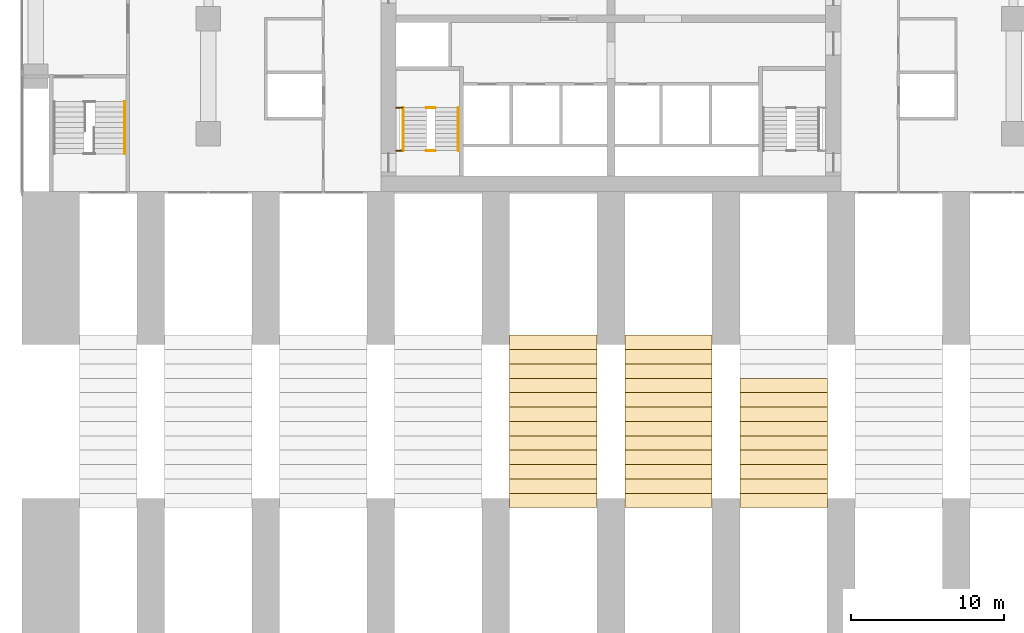
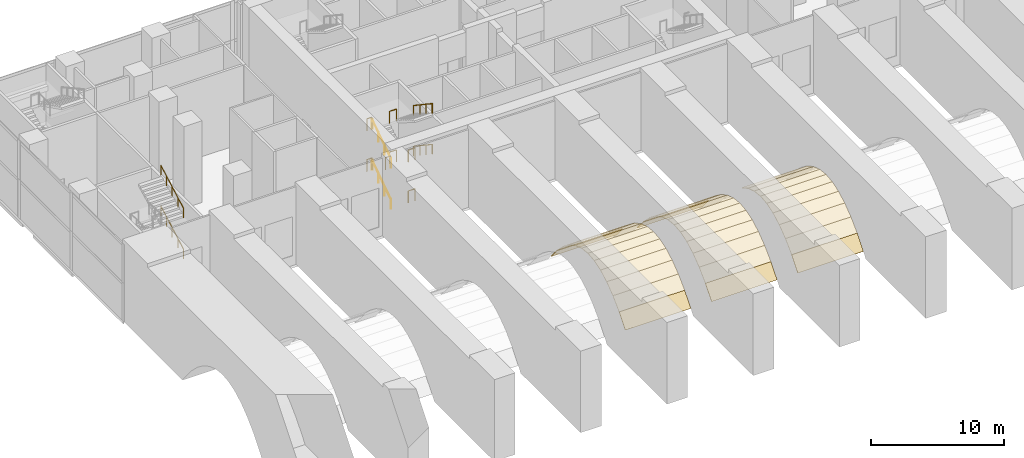
# One storey, part 12 of 15: 33 coverings, 13 railings.
"""IFC4 building model written with IfcOpenShell, lengths in metres."""

from ifc_helpers import new_model, si_unit, direction, frame, origin, origin_2d, place, context, subcontext, project, spatial, polyline, circle, outline, extrude, material, layer, layer_set, type_object, element, save


model = new_model("IFC4")

# Units and contexts
model_context = context("Model", 3, precision=1e-05, world=origin(), true_north=direction((0.0, 1.0)))
body_context = subcontext(model_context, "Body", "Model", "MODEL_VIEW")
ifc_project = project(units=[si_unit("LENGTHUNIT", "METRE"), si_unit("AREAUNIT", "SQUARE_METRE"), si_unit("VOLUMEUNIT", "CUBIC_METRE"), si_unit("PLANEANGLEUNIT", "RADIAN"), si_unit("MASSUNIT", "GRAM", prefix="KILO")], contexts=[model_context])

# Site, building, storey
site_placement = place(None, origin())
site = spatial("IfcSite", under=ifc_project, at=site_placement, CompositionType="ELEMENT")
building_placement = place(site_placement, origin())
building = spatial("IfcBuilding", under=site, at=building_placement, Name="Pilkhan Gate Tower", CompositionType="ELEMENT")
storey_placement = place(building_placement, frame((0.0, 0.0, 16.5)))
storey = spatial("IfcBuildingStorey", under=building, at=storey_placement, Name="L02", CompositionType="ELEMENT", Elevation=16.5)

# Coverings
ifc_material_1 = material(Name="Concrete C40/50 precast", Category="concrete")
ifc_layer = layer(ifc_material_1, 0.06005859375)
ifc_layer_set = layer_set([ifc_layer], Name="Arch soffit panel ARC")
covering_type = type_object("IfcCoveringType", Name="Arch soffit panel ARC", PredefinedType="CLADDING", material=ifc_layer_set)
covering_1_placement = place(storey_placement, frame((68.39990234375, 50.625, 0.487548828125), z_axis=(0.0, -0.766573876706, 0.642156127084), x_axis=(1.0, 0.0, 0.0)))
element("IfcCovering", 1, at=covering_1_placement, inside=storey, type_object=covering_type, Name="Arch soffit panel ARC-5.7", PredefinedType="CLADDING", context=body_context, shape_type="SweptSolid", body=[
    extrude(outline(polyline([(0.0, 0.0), (5.7001953125, 0.0), (5.7001953125, 1.4599253366269764), (0.0, 1.4599253366269764), (0.0, 0.0)])), origin(), (0.0, 0.0, -1.0), 0.06005859375),
])
covering_2_placement = place(storey_placement, frame((68.39990234375, 51.5625, 1.606689453125), z_axis=(0.0, -0.698672998985, 0.715441150961), x_axis=(1.0, 0.0, 0.0)))
element("IfcCovering", 2, at=covering_2_placement, inside=storey, type_object=covering_type, Name="Arch soffit panel ARC-5.8", PredefinedType="CLADDING", context=body_context, shape_type="SweptSolid", body=[
    extrude(outline(polyline([(0.0, 0.0), (5.7001953125, 0.0), (5.7001953125, 1.3103803139371146), (0.0, 1.3103803139371146), (0.0, 0.0)])), origin(), (0.0, 0.0, -1.0), 0.06005859375),
])
covering_3_placement = place(storey_placement, frame((68.39990234375, 52.5, 2.522216796875), z_axis=(0.0, -0.604899225984, 0.796302032149), x_axis=(1.0, 0.0, 0.0)))
element("IfcCovering", 3, at=covering_3_placement, inside=storey, type_object=covering_type, Name="Arch soffit panel ARC-5.9", PredefinedType="CLADDING", context=body_context, shape_type="SweptSolid", body=[
    extrude(outline(polyline([(0.0, 0.0), (5.7001953125, 0.0), (5.7001953125, 1.1773171009877623), (0.0, 1.1773171009877623), (0.0, 0.0)])), origin(), (0.0, 0.0, -1.0), 0.06005859375),
])
covering_4_placement = place(storey_placement, frame((68.39990234375, 53.4375, 3.234375), z_axis=(0.0, -0.476990839795, 0.878908265265), x_axis=(1.0, 0.0, 0.0)))
element("IfcCovering", 4, at=covering_4_placement, inside=storey, type_object=covering_type, Name="Arch soffit panel ARC-5.10", PredefinedType="CLADDING", context=body_context, shape_type="SweptSolid", body=[
    extrude(outline(polyline([(0.0, 0.0), (5.7001953125, 0.0), (5.7001953125, 1.0666642208866055), (0.0, 1.0666642208866055), (0.0, 0.0)])), origin(), (0.0, 0.0, -1.0), 0.06005859375),
])
covering_5_placement = place(storey_placement, frame((68.39990234375, 54.375, 3.7431640625), z_axis=(0.0, -0.309533978689, 0.950888382533), x_axis=(1.0, 0.0, 0.0)))
element("IfcCovering", 5, at=covering_5_placement, inside=storey, type_object=covering_type, Name="Arch soffit panel ARC-5.11", PredefinedType="CLADDING", context=body_context, shape_type="SweptSolid", body=[
    extrude(outline(polyline([(0.0, 0.0), (5.7001953125, 0.0), (5.7001953125, 0.9859201323948852), (0.0, 0.9859201323948852), (0.0, 0.0)])), origin(), (0.0, 0.0, -1.0), 0.06005859375),
])
for number, where, z_axis, x_axis, name in (
    (6, (68.39990234375, 55.3125, 4.04833984375), (0.0, -0.107703168683, 0.994183095539), (1.0, 0.0, 0.0), "Arch soffit panel ARC-5.12"),
    (7, (68.39990234375, 56.25, 4.14990234375), (0.0, 0.107703168683, 0.994183095539), (1.0, 0.0, 0.0), "Arch soffit panel ARC-5.13"),
):
    element("IfcCovering", number, at=place(storey_placement, frame(where, z_axis=z_axis, x_axis=x_axis)), inside=storey, type_object=covering_type, Name=name, PredefinedType="CLADDING", context=body_context, shape_type="SweptSolid", body=[
        extrude(outline(polyline([(0.0, 0.0), (5.7001953125, 0.0), (5.7001953125, 0.9429852551372424), (0.0, 0.9429852551372424), (0.0, 0.0)])), origin(), (0.0, 0.0, -1.0), 0.06005859375),
    ])
covering_6_placement = place(storey_placement, frame((68.39990234375, 57.1875, 4.04833984375), z_axis=(0.0, 0.309533978689, 0.950888382533), x_axis=(1.0, 0.0, 0.0)))
element("IfcCovering", 8, at=covering_6_placement, inside=storey, type_object=covering_type, Name="Arch soffit panel ARC-5.14", PredefinedType="CLADDING", context=body_context, shape_type="SweptSolid", body=[
    extrude(outline(polyline([(0.0, 0.0), (5.7001953125, 0.0), (5.7001953125, 0.9859201323948852), (0.0, 0.9859201323948852), (0.0, 0.0)])), origin(), (0.0, 0.0, -1.0), 0.06005859375),
])
covering_7_placement = place(storey_placement, frame((68.39990234375, 58.125, 3.7431640625), z_axis=(0.0, 0.476990839795, 0.878908265265), x_axis=(1.0, 0.0, 0.0)))
element("IfcCovering", 9, at=covering_7_placement, inside=storey, type_object=covering_type, Name="Arch soffit panel ARC-5.15", PredefinedType="CLADDING", context=body_context, shape_type="SweptSolid", body=[
    extrude(outline(polyline([(0.0, 0.0), (5.7001953125, 0.0), (5.7001953125, 1.0666642208866055), (0.0, 1.0666642208866055), (0.0, 0.0)])), origin(), (0.0, 0.0, -1.0), 0.06005859375),
])
covering_8_placement = place(storey_placement, frame((68.39990234375, 59.0625, 3.234375), z_axis=(0.0, 0.604899225984, 0.796302032149), x_axis=(1.0, 0.0, 0.0)))
element("IfcCovering", 10, at=covering_8_placement, inside=storey, type_object=covering_type, Name="Arch soffit panel ARC-5.16", PredefinedType="CLADDING", context=body_context, shape_type="SweptSolid", body=[
    extrude(outline(polyline([(0.0, 0.0), (5.7001953125, 0.0), (5.7001953125, 1.1773171009877623), (0.0, 1.1773171009877623), (0.0, 0.0)])), origin(), (0.0, 0.0, -1.0), 0.06005859375),
])
covering_9_placement = place(storey_placement, frame((68.39990234375, 60.0, 2.522216796875), z_axis=(0.0, 0.698672998985, 0.715441150961), x_axis=(1.0, 0.0, 0.0)))
element("IfcCovering", 11, at=covering_9_placement, inside=storey, type_object=covering_type, Name="Arch soffit panel ARC-5.17", PredefinedType="CLADDING", context=body_context, shape_type="SweptSolid", body=[
    extrude(outline(polyline([(0.0, 0.0), (5.7001953125, 0.0), (5.7001953125, 1.3103803139371146), (0.0, 1.3103803139371146), (0.0, 0.0)])), origin(), (0.0, 0.0, -1.0), 0.06005859375),
])
for number, where, z_axis, x_axis, name in (
    (12, (68.39990234375, 60.9375, 1.606689453125), (0.0, 0.766573876706, 0.642156127084), (1.0, 0.0, 0.0), "Arch soffit panel ARC-5.18"),
    (13, (75.89990234375, 50.625, 0.487548828125), (0.0, -0.766573876706, 0.642156127084), (1.0, 0.0, 0.0), "Arch soffit panel ARC-6.7"),
):
    element("IfcCovering", number, at=place(storey_placement, frame(where, z_axis=z_axis, x_axis=x_axis)), inside=storey, type_object=covering_type, Name=name, PredefinedType="CLADDING", context=body_context, shape_type="SweptSolid", body=[
        extrude(outline(polyline([(0.0, 0.0), (5.7001953125, 0.0), (5.7001953125, 1.4599253366269764), (0.0, 1.4599253366269764), (0.0, 0.0)])), origin(), (0.0, 0.0, -1.0), 0.06005859375),
    ])
covering_10_placement = place(storey_placement, frame((75.89990234375, 51.5625, 1.606689453125), z_axis=(0.0, -0.698672998985, 0.715441150961), x_axis=(1.0, 0.0, 0.0)))
element("IfcCovering", 14, at=covering_10_placement, inside=storey, type_object=covering_type, Name="Arch soffit panel ARC-6.8", PredefinedType="CLADDING", context=body_context, shape_type="SweptSolid", body=[
    extrude(outline(polyline([(0.0, 0.0), (5.7001953125, 0.0), (5.7001953125, 1.3103803139371146), (0.0, 1.3103803139371146), (0.0, 0.0)])), origin(), (0.0, 0.0, -1.0), 0.06005859375),
])
covering_11_placement = place(storey_placement, frame((75.89990234375, 52.5, 2.522216796875), z_axis=(0.0, -0.604899225984, 0.796302032149), x_axis=(1.0, 0.0, 0.0)))
element("IfcCovering", 15, at=covering_11_placement, inside=storey, type_object=covering_type, Name="Arch soffit panel ARC-6.9", PredefinedType="CLADDING", context=body_context, shape_type="SweptSolid", body=[
    extrude(outline(polyline([(0.0, 0.0), (5.7001953125, 0.0), (5.7001953125, 1.1773171009877623), (0.0, 1.1773171009877623), (0.0, 0.0)])), origin(), (0.0, 0.0, -1.0), 0.06005859375),
])
covering_12_placement = place(storey_placement, frame((75.89990234375, 53.4375, 3.234375), z_axis=(0.0, -0.476990839795, 0.878908265265), x_axis=(1.0, 0.0, 0.0)))
element("IfcCovering", 16, at=covering_12_placement, inside=storey, type_object=covering_type, Name="Arch soffit panel ARC-6.10", PredefinedType="CLADDING", context=body_context, shape_type="SweptSolid", body=[
    extrude(outline(polyline([(0.0, 0.0), (5.7001953125, 0.0), (5.7001953125, 1.0666642208866055), (0.0, 1.0666642208866055), (0.0, 0.0)])), origin(), (0.0, 0.0, -1.0), 0.06005859375),
])
covering_13_placement = place(storey_placement, frame((75.89990234375, 54.375, 3.7431640625), z_axis=(0.0, -0.309533978689, 0.950888382533), x_axis=(1.0, 0.0, 0.0)))
element("IfcCovering", 17, at=covering_13_placement, inside=storey, type_object=covering_type, Name="Arch soffit panel ARC-6.11", PredefinedType="CLADDING", context=body_context, shape_type="SweptSolid", body=[
    extrude(outline(polyline([(0.0, 0.0), (5.7001953125, 0.0), (5.7001953125, 0.9859201323948852), (0.0, 0.9859201323948852), (0.0, 0.0)])), origin(), (0.0, 0.0, -1.0), 0.06005859375),
])
for number, where, z_axis, x_axis, name in (
    (18, (75.89990234375, 55.3125, 4.04833984375), (0.0, -0.107703168683, 0.994183095539), (1.0, 0.0, 0.0), "Arch soffit panel ARC-6.12"),
    (19, (75.89990234375, 56.25, 4.14990234375), (0.0, 0.107703168683, 0.994183095539), (1.0, 0.0, 0.0), "Arch soffit panel ARC-6.13"),
):
    element("IfcCovering", number, at=place(storey_placement, frame(where, z_axis=z_axis, x_axis=x_axis)), inside=storey, type_object=covering_type, Name=name, PredefinedType="CLADDING", context=body_context, shape_type="SweptSolid", body=[
        extrude(outline(polyline([(0.0, 0.0), (5.7001953125, 0.0), (5.7001953125, 0.9429852551372424), (0.0, 0.9429852551372424), (0.0, 0.0)])), origin(), (0.0, 0.0, -1.0), 0.06005859375),
    ])
covering_14_placement = place(storey_placement, frame((75.89990234375, 57.1875, 4.04833984375), z_axis=(0.0, 0.309533978689, 0.950888382533), x_axis=(1.0, 0.0, 0.0)))
element("IfcCovering", 20, at=covering_14_placement, inside=storey, type_object=covering_type, Name="Arch soffit panel ARC-6.14", PredefinedType="CLADDING", context=body_context, shape_type="SweptSolid", body=[
    extrude(outline(polyline([(0.0, 0.0), (5.7001953125, 0.0), (5.7001953125, 0.9859201323948852), (0.0, 0.9859201323948852), (0.0, 0.0)])), origin(), (0.0, 0.0, -1.0), 0.06005859375),
])
covering_15_placement = place(storey_placement, frame((75.89990234375, 58.125, 3.7431640625), z_axis=(0.0, 0.476990839795, 0.878908265265), x_axis=(1.0, 0.0, 0.0)))
element("IfcCovering", 21, at=covering_15_placement, inside=storey, type_object=covering_type, Name="Arch soffit panel ARC-6.15", PredefinedType="CLADDING", context=body_context, shape_type="SweptSolid", body=[
    extrude(outline(polyline([(0.0, 0.0), (5.7001953125, 0.0), (5.7001953125, 1.0666642208866055), (0.0, 1.0666642208866055), (0.0, 0.0)])), origin(), (0.0, 0.0, -1.0), 0.06005859375),
])
covering_16_placement = place(storey_placement, frame((75.89990234375, 59.0625, 3.234375), z_axis=(0.0, 0.604899225984, 0.796302032149), x_axis=(1.0, 0.0, 0.0)))
element("IfcCovering", 22, at=covering_16_placement, inside=storey, type_object=covering_type, Name="Arch soffit panel ARC-6.16", PredefinedType="CLADDING", context=body_context, shape_type="SweptSolid", body=[
    extrude(outline(polyline([(0.0, 0.0), (5.7001953125, 0.0), (5.7001953125, 1.1773171009877623), (0.0, 1.1773171009877623), (0.0, 0.0)])), origin(), (0.0, 0.0, -1.0), 0.06005859375),
])
covering_17_placement = place(storey_placement, frame((75.89990234375, 60.0, 2.522216796875), z_axis=(0.0, 0.698672998985, 0.715441150961), x_axis=(1.0, 0.0, 0.0)))
element("IfcCovering", 23, at=covering_17_placement, inside=storey, type_object=covering_type, Name="Arch soffit panel ARC-6.17", PredefinedType="CLADDING", context=body_context, shape_type="SweptSolid", body=[
    extrude(outline(polyline([(0.0, 0.0), (5.7001953125, 0.0), (5.7001953125, 1.3103803139371146), (0.0, 1.3103803139371146), (0.0, 0.0)])), origin(), (0.0, 0.0, -1.0), 0.06005859375),
])
for number, where, z_axis, x_axis, name in (
    (24, (75.89990234375, 60.9375, 1.606689453125), (0.0, 0.766573876706, 0.642156127084), (1.0, 0.0, 0.0), "Arch soffit panel ARC-6.18"),
    (25, (83.39990234375, 50.625, 0.487548828125), (0.0, -0.766573876706, 0.642156127084), (1.0, 0.0, 0.0), "Arch soffit panel ARC-7.7"),
):
    element("IfcCovering", number, at=place(storey_placement, frame(where, z_axis=z_axis, x_axis=x_axis)), inside=storey, type_object=covering_type, Name=name, PredefinedType="CLADDING", context=body_context, shape_type="SweptSolid", body=[
        extrude(outline(polyline([(0.0, 0.0), (5.7001953125, 0.0), (5.7001953125, 1.4599253366269764), (0.0, 1.4599253366269764), (0.0, 0.0)])), origin(), (0.0, 0.0, -1.0), 0.06005859375),
    ])
covering_18_placement = place(storey_placement, frame((83.39990234375, 51.5625, 1.606689453125), z_axis=(0.0, -0.698672998985, 0.715441150961), x_axis=(1.0, 0.0, 0.0)))
element("IfcCovering", 26, at=covering_18_placement, inside=storey, type_object=covering_type, Name="Arch soffit panel ARC-7.8", PredefinedType="CLADDING", context=body_context, shape_type="SweptSolid", body=[
    extrude(outline(polyline([(0.0, 0.0), (5.7001953125, 0.0), (5.7001953125, 1.3103803139371146), (0.0, 1.3103803139371146), (0.0, 0.0)])), origin(), (0.0, 0.0, -1.0), 0.06005859375),
])
covering_19_placement = place(storey_placement, frame((83.39990234375, 52.5, 2.522216796875), z_axis=(0.0, -0.604899225984, 0.796302032149), x_axis=(1.0, 0.0, 0.0)))
element("IfcCovering", 27, at=covering_19_placement, inside=storey, type_object=covering_type, Name="Arch soffit panel ARC-7.9", PredefinedType="CLADDING", context=body_context, shape_type="SweptSolid", body=[
    extrude(outline(polyline([(0.0, 0.0), (5.7001953125, 0.0), (5.7001953125, 1.1773171009877623), (0.0, 1.1773171009877623), (0.0, 0.0)])), origin(), (0.0, 0.0, -1.0), 0.06005859375),
])
covering_20_placement = place(storey_placement, frame((83.39990234375, 53.4375, 3.234375), z_axis=(0.0, -0.476990839795, 0.878908265265), x_axis=(1.0, 0.0, 0.0)))
element("IfcCovering", 28, at=covering_20_placement, inside=storey, type_object=covering_type, Name="Arch soffit panel ARC-7.10", PredefinedType="CLADDING", context=body_context, shape_type="SweptSolid", body=[
    extrude(outline(polyline([(0.0, 0.0), (5.7001953125, 0.0), (5.7001953125, 1.0666642208866055), (0.0, 1.0666642208866055), (0.0, 0.0)])), origin(), (0.0, 0.0, -1.0), 0.06005859375),
])
covering_21_placement = place(storey_placement, frame((83.39990234375, 54.375, 3.7431640625), z_axis=(0.0, -0.309533978689, 0.950888382533), x_axis=(1.0, 0.0, 0.0)))
element("IfcCovering", 29, at=covering_21_placement, inside=storey, type_object=covering_type, Name="Arch soffit panel ARC-7.11", PredefinedType="CLADDING", context=body_context, shape_type="SweptSolid", body=[
    extrude(outline(polyline([(0.0, 0.0), (5.7001953125, 0.0), (5.7001953125, 0.9859201323948852), (0.0, 0.9859201323948852), (0.0, 0.0)])), origin(), (0.0, 0.0, -1.0), 0.06005859375),
])
for number, where, z_axis, x_axis, name in (
    (30, (83.39990234375, 55.3125, 4.04833984375), (0.0, -0.107703168683, 0.994183095539), (1.0, 0.0, 0.0), "Arch soffit panel ARC-7.12"),
    (31, (83.39990234375, 56.25, 4.14990234375), (0.0, 0.107703168683, 0.994183095539), (1.0, 0.0, 0.0), "Arch soffit panel ARC-7.13"),
):
    element("IfcCovering", number, at=place(storey_placement, frame(where, z_axis=z_axis, x_axis=x_axis)), inside=storey, type_object=covering_type, Name=name, PredefinedType="CLADDING", context=body_context, shape_type="SweptSolid", body=[
        extrude(outline(polyline([(0.0, 0.0), (5.7001953125, 0.0), (5.7001953125, 0.9429852551372424), (0.0, 0.9429852551372424), (0.0, 0.0)])), origin(), (0.0, 0.0, -1.0), 0.06005859375),
    ])
covering_22_placement = place(storey_placement, frame((83.39990234375, 57.1875, 4.04833984375), z_axis=(0.0, 0.309533978689, 0.950888382533), x_axis=(1.0, 0.0, 0.0)))
element("IfcCovering", 32, at=covering_22_placement, inside=storey, type_object=covering_type, Name="Arch soffit panel ARC-7.14", PredefinedType="CLADDING", context=body_context, shape_type="SweptSolid", body=[
    extrude(outline(polyline([(0.0, 0.0), (5.7001953125, 0.0), (5.7001953125, 0.9859201323948852), (0.0, 0.9859201323948852), (0.0, 0.0)])), origin(), (0.0, 0.0, -1.0), 0.06005859375),
])
covering_23_placement = place(storey_placement, frame((83.39990234375, 58.125, 3.7431640625), z_axis=(0.0, 0.476990839795, 0.878908265265), x_axis=(1.0, 0.0, 0.0)))
element("IfcCovering", 33, at=covering_23_placement, inside=storey, type_object=covering_type, Name="Arch soffit panel ARC-7.15", PredefinedType="CLADDING", context=body_context, shape_type="SweptSolid", body=[
    extrude(outline(polyline([(0.0, 0.0), (5.7001953125, 0.0), (5.7001953125, 1.0666642208866055), (0.0, 1.0666642208866055), (0.0, 0.0)])), origin(), (0.0, 0.0, -1.0), 0.06005859375),
])

# Railings
ifc_material_2 = material(Name="Black powder-coated steel tube", Category="steel")
railing_type_1 = type_object("IfcRailingType", Name="Stair handrail HR1", PredefinedType="HANDRAIL", material=ifc_material_2)
railing_1_placement = place(storey_placement, frame((61.449951171875, 73.89990234375, 0.0)))
element("IfcRailing", 34, at=railing_1_placement, inside=storey, type_object=railing_type_1, Name="Stair ST2 handrail L02", PredefinedType="HANDRAIL", context=body_context, shape_type="SweptSolid", body=[
    extrude(circle(Radius=0.02392578125, at=origin_2d()), frame((0.0, 0.0, 0.8759765625), z_axis=(0.0, 0.830911662861, 0.55640435703), x_axis=(-1.0, 0.0, 0.0)), (0.0, 0.0, 1.0), 3.369873046875),
    extrude(circle(Radius=0.02099609375, at=origin_2d()), origin(), (0.0, 0.0, 1.0), 0.851806640625),
    extrude(circle(Radius=0.02099609375, at=origin_2d()), frame((0.0, 0.933349609375, 0.625)), (0.0, 0.0, 1.0), 0.851806640625),
    extrude(circle(Radius=0.02099609375, at=origin_2d()), frame((0.0, 1.86669921875, 1.25)), (0.0, 0.0, 1.0), 0.851806640625),
    extrude(circle(Radius=0.02099609375, at=origin_2d()), frame((0.0, 2.800048828125, 1.875)), (0.0, 0.0, 1.0), 0.851806640625),
])
railing_2_placement = place(storey_placement, frame((65.050048828125, 76.699951171875, 1.875)))
element("IfcRailing", 35, at=railing_2_placement, inside=storey, type_object=railing_type_1, Name="Stair ST2 handrail L02", PredefinedType="HANDRAIL", context=body_context, shape_type="SweptSolid", body=[
    extrude(circle(Radius=0.02392578125, at=origin_2d()), frame((0.0, 0.0, 0.8759765625), z_axis=(0.0, -0.830911662861, 0.55640435703), x_axis=(1.0, 0.0, 0.0)), (0.0, 0.0, 1.0), 3.369873046875),
    extrude(circle(Radius=0.02099609375, at=origin_2d()), origin(), (0.0, 0.0, 1.0), 0.851806640625),
    extrude(circle(Radius=0.02099609375, at=origin_2d()), frame((0.0, -0.933349609375, 0.625)), (0.0, 0.0, 1.0), 0.851806640625),
    extrude(circle(Radius=0.02099609375, at=origin_2d()), frame((0.0, -1.86669921875, 1.25)), (0.0, 0.0, 1.0), 0.851806640625),
    extrude(circle(Radius=0.02099609375, at=origin_2d()), frame((0.0, -2.800048828125, 1.875)), (0.0, 0.0, 1.0), 0.851806640625),
])
railing_3_placement = place(storey_placement, frame((61.449951171875, 73.89990234375, 3.75)))
element("IfcRailing", 36, at=railing_3_placement, inside=storey, type_object=railing_type_1, Name="Stair ST2 handrail L02", PredefinedType="HANDRAIL", context=body_context, shape_type="SweptSolid", body=[
    extrude(circle(Radius=0.02392578125, at=origin_2d()), frame((0.0, 0.0, 0.8759765625), z_axis=(0.0, 0.830911662861, 0.55640435703), x_axis=(-1.0, 0.0, 0.0)), (0.0, 0.0, 1.0), 3.369873046875),
    extrude(circle(Radius=0.02099609375, at=origin_2d()), origin(), (0.0, 0.0, 1.0), 0.851806640625),
    extrude(circle(Radius=0.02099609375, at=origin_2d()), frame((0.0, 0.933349609375, 0.625)), (0.0, 0.0, 1.0), 0.851806640625),
    extrude(circle(Radius=0.02099609375, at=origin_2d()), frame((0.0, 1.86669921875, 1.25)), (0.0, 0.0, 1.0), 0.851806640625),
    extrude(circle(Radius=0.02099609375, at=origin_2d()), frame((0.0, 2.800048828125, 1.875)), (0.0, 0.0, 1.0), 0.851806640625),
])
railing_4_placement = place(storey_placement, frame((65.050048828125, 76.699951171875, 5.625)))
element("IfcRailing", 37, at=railing_4_placement, inside=storey, type_object=railing_type_1, Name="Stair ST2 handrail L02", PredefinedType="HANDRAIL", context=body_context, shape_type="SweptSolid", body=[
    extrude(circle(Radius=0.02392578125, at=origin_2d()), frame((0.0, 0.0, 0.8759765625), z_axis=(0.0, -0.830911662861, 0.55640435703), x_axis=(1.0, 0.0, 0.0)), (0.0, 0.0, 1.0), 3.369873046875),
    extrude(circle(Radius=0.02099609375, at=origin_2d()), origin(), (0.0, 0.0, 1.0), 0.851806640625),
    extrude(circle(Radius=0.02099609375, at=origin_2d()), frame((0.0, -0.933349609375, 0.625)), (0.0, 0.0, 1.0), 0.851806640625),
    extrude(circle(Radius=0.02099609375, at=origin_2d()), frame((0.0, -1.86669921875, 1.25)), (0.0, 0.0, 1.0), 0.851806640625),
    extrude(circle(Radius=0.02099609375, at=origin_2d()), frame((0.0, -2.800048828125, 1.875)), (0.0, 0.0, 1.0), 0.851806640625),
])
for number, where, name in (
    (38, (43.300048828125, 73.699951171875, 1.875), "Stair PS3 handrail L02"),
    (39, (43.300048828125, 73.699951171875, 5.625), "Stair PS3 handrail L02"),
):
    element("IfcRailing", number, at=place(storey_placement, frame(where)), inside=storey, type_object=railing_type_1, Name=name, PredefinedType="HANDRAIL", context=body_context, shape_type="SweptSolid", body=[
        extrude(circle(Radius=0.02392578125, at=origin_2d()), frame((0.0, 0.0, 0.8759765625), z_axis=(0.0, 0.875680375818, 0.482891167249), x_axis=(-1.0, 0.0, 0.0)), (0.0, 0.0, 1.0), 3.8828125),
        extrude(circle(Radius=0.02099609375, at=origin_2d()), origin(), (0.0, 0.0, 1.0), 0.851806640625),
        extrude(circle(Radius=0.02099609375, at=origin_2d()), frame((0.0, 0.85009765625, 0.46875)), (0.0, 0.0, 1.0), 0.851806640625),
        extrude(circle(Radius=0.02099609375, at=origin_2d()), frame((0.0, 1.7001953125, 0.9375)), (0.0, 0.0, 1.0), 0.851806640625),
        extrude(circle(Radius=0.02099609375, at=origin_2d()), frame((0.0, 2.550048828125, 1.40625)), (0.0, 0.0, 1.0), 0.851806640625),
        extrude(circle(Radius=0.02099609375, at=origin_2d()), frame((0.0, 3.400146484375, 1.875)), (0.0, 0.0, 1.0), 0.851806640625),
    ])
ifc_material_3 = material(Name="Black powder-coated steel balusters", Category="steel")
railing_type_2 = type_object("IfcRailingType", Name="Stair well guard G3", PredefinedType="GUARDRAIL", material=ifc_material_3)
for number, where, name in (
    (40, (60.97998046875, 76.699951171875, 1.875), "Stair ST2 well guard L02"),
    (41, (60.97998046875, 73.89990234375, 3.75), "Stair ST2 well guard L02"),
    (42, (60.97998046875, 76.699951171875, 5.625), "Stair ST2 well guard L02"),
):
    element("IfcRailing", number, at=place(storey_placement, frame(where)), inside=storey, type_object=railing_type_2, Name=name, PredefinedType="GUARDRAIL", context=body_context, shape_type="SweptSolid", body=[
        extrude(circle(Radius=0.02392578125, at=origin_2d()), frame((0.0, 0.0, 1.076171875), z_axis=(1.0, 0.0, 0.0), x_axis=(0.0, 1.0, 0.0)), (0.0, 0.0, 1.0), 0.43994140625),
        extrude(circle(Radius=0.02099609375, at=origin_2d()), origin(), (0.0, 0.0, 1.0), 1.052001953125),
        extrude(circle(Radius=0.02099609375, at=origin_2d()), frame((0.43994140625, 0.0, 0.0)), (0.0, 0.0, 1.0), 1.052001953125),
    ])
for number, where, name in (
    (43, (62.9599609375, 73.89990234375, 0.0), "Stair ST2 well guard L02"),
    (44, (62.9599609375, 76.699951171875, 1.875), "Stair ST2 well guard L02"),
    (45, (62.9599609375, 73.89990234375, 3.75), "Stair ST2 well guard L02"),
    (46, (62.9599609375, 76.699951171875, 5.625), "Stair ST2 well guard L02"),
):
    element("IfcRailing", number, at=place(storey_placement, frame(where)), inside=storey, type_object=railing_type_2, Name=name, PredefinedType="GUARDRAIL", context=body_context, shape_type="SweptSolid", body=[
        extrude(circle(Radius=0.02392578125, at=origin_2d()), frame((0.0, 0.0, 1.076171875), z_axis=(1.0, 0.0, 0.0), x_axis=(0.0, 1.0, 0.0)), (0.0, 0.0, 1.0), 0.580078125),
        extrude(circle(Radius=0.02099609375, at=origin_2d()), origin(), (0.0, 0.0, 1.0), 1.052001953125),
        extrude(circle(Radius=0.02099609375, at=origin_2d()), frame((0.580078125, 0.0, 0.0)), (0.0, 0.0, 1.0), 1.052001953125),
    ])

save(model, "model.ifc")
